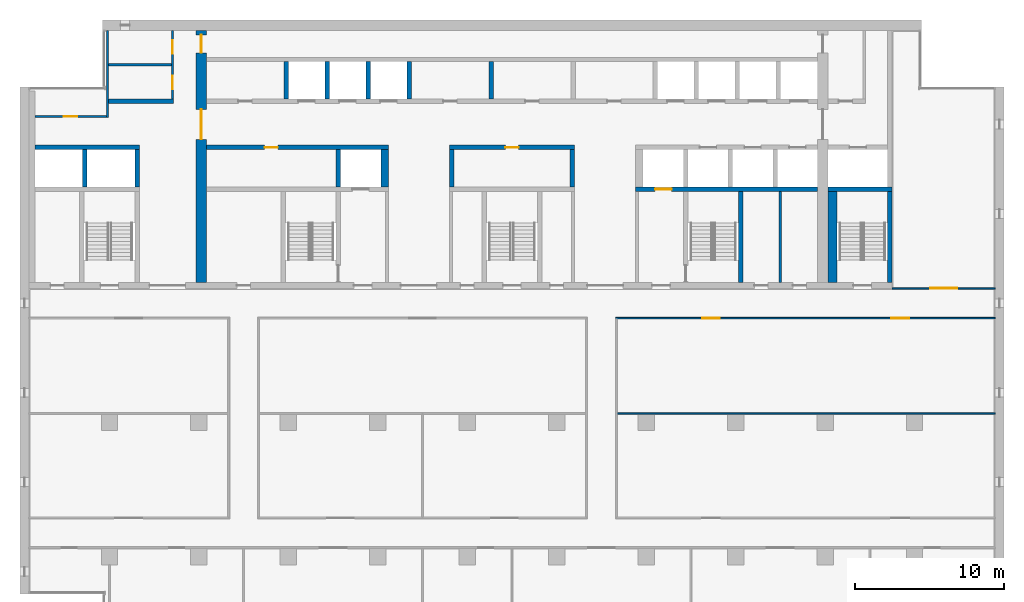
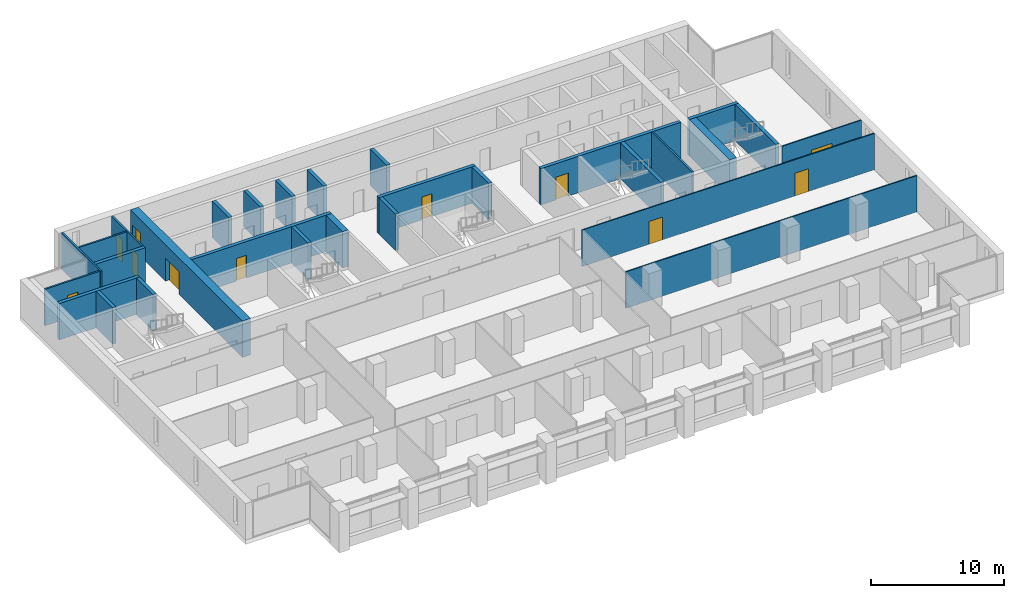
# One storey, part 10 of 17: 29 walls, 11 doors, 11 openings.
"""IFC4 building model written with IfcOpenShell, lengths in metres."""

from ifc_helpers import new_model, si_unit, direction, frame, frame_2d, origin, place, context, subcontext, project, spatial, rectangle, extrude, material, layer, layer_set, type_object, element, fill, save


model = new_model("IFC4")

# Units and contexts
model_context = context("Model", 3, precision=1e-05, world=origin(), true_north=direction((0.0, 1.0)))
body_context = subcontext(model_context, "Body", "Model", "MODEL_VIEW")
ifc_project = project(units=[si_unit("LENGTHUNIT", "METRE"), si_unit("AREAUNIT", "SQUARE_METRE"), si_unit("VOLUMEUNIT", "CUBIC_METRE"), si_unit("PLANEANGLEUNIT", "RADIAN"), si_unit("MASSUNIT", "GRAM", prefix="KILO")], contexts=[model_context])

# Site, building, storey
site_placement = place(None, origin())
site = spatial("IfcSite", under=ifc_project, at=site_placement, CompositionType="ELEMENT")
building_placement = place(site_placement, origin())
building = spatial("IfcBuilding", under=site, at=building_placement, Name="Calvaro Tower", CompositionType="ELEMENT")
storey_placement = place(building_placement, frame((0.0, 0.0, 193.0)))
storey = spatial("IfcBuildingStorey", under=building, at=storey_placement, Name="L48", CompositionType="ELEMENT", Elevation=193.0)

# Walls
ifc_material_1 = material(Name="Blockwork partition", Category="masonry")
ifc_layer_1 = layer(ifc_material_1, 0.14990234375)
ifc_layer_set_1 = layer_set([ifc_layer_1], Name="Blockwork partition")
wall_type_1 = type_object("IfcWallType", Name="Core partition 150 EI 60", PredefinedType="PARTITIONING", material=ifc_layer_set_1)
wall_1_placement = place(storey_placement, frame((57.0, 28.39990234375, 0.0), z_axis=(0.0, 0.0, 1.0), x_axis=(0.0, 1.0, 0.0)))
element("IfcWall", 1, at=wall_1_placement, inside=storey, type_object=wall_type_1, Name="Core partition", PredefinedType="PARTITIONING", context=body_context, shape_type="SweptSolid", body=[
    extrude(rectangle(XDim=6.10009765625, YDim=0.14990234375, at=frame_2d((3.050048828125, 0.0))), origin(), (0.0, 0.0, 1.0), 3.35009765625),
])
wall_2_placement = place(storey_placement, frame((11.949951171875, 43.0, 0.0), z_axis=(0.0, 0.0, 1.0), x_axis=(1.0, 0.0, 0.0)))
element("IfcWall", 2, at=wall_2_placement, inside=storey, type_object=wall_type_1, Name="Core partition", PredefinedType="PARTITIONING", context=body_context, shape_type="SweptSolid", body=[
    extrude(rectangle(XDim=4.199951171875, YDim=0.14990234375, at=frame_2d((2.10009765625, 0.0))), origin(), (0.0, 0.0, 1.0), 3.35009765625),
])

# Wall, openings, doors
ifc_material_2 = material(Name="Blockwork partition", Category="masonry")
ifc_layer_2 = layer(ifc_material_2, 0.14990234375)
ifc_layer_set_2 = layer_set([ifc_layer_2], Name="Blockwork partition")
wall_type_2 = type_object("IfcWallType", Name="Core partition 150 REI 120", PredefinedType="PARTITIONING", material=ifc_layer_set_2)
wall_3_placement = place(storey_placement, frame((16.22509765625, 45.300048828125, 0.0), z_axis=(0.0, 0.0, 1.0), x_axis=(0.0, -1.0, 0.0)))
wall_3 = element("IfcWall", 3, at=wall_3_placement, inside=storey, type_object=wall_type_2, Name="Core partition", PredefinedType="PARTITIONING", context=body_context, shape_type="SweptSolid", body=[
    extrude(rectangle(XDim=4.60009765625, YDim=0.14990234375, at=frame_2d((2.300048828125, 0.0))), origin(), (0.0, 0.0, 1.0), 3.35009765625),
])
opening_1_placement = place(wall_3_placement, frame((3.03759765625, 0.0, 0.0)))
opening_1 = element("IfcOpeningElement", 4, at=opening_1_placement, cuts=wall_3, Name="Opening RD9", PredefinedType="OPENING", context=body_context, shape_type="SweptSolid", body=[
    extrude(rectangle(XDim=0.89990234375, YDim=2.10009765625, at=frame_2d((0.449951171875, 1.050048828125))), frame((0.0, 0.0849609375, 0.0), z_axis=(0.0, -1.0, 0.0), x_axis=(1.0, 0.0, 0.0)), (0.0, 0.0, 1.0), 0.169921875),
])
opening_2_placement = place(wall_3_placement, frame((0.66259765625, 0.0, 0.0)))
opening_2 = element("IfcOpeningElement", 5, at=opening_2_placement, cuts=wall_3, Name="Opening RD9", PredefinedType="OPENING", context=body_context, shape_type="SweptSolid", body=[
    extrude(rectangle(XDim=0.89990234375, YDim=2.10009765625, at=frame_2d((0.449951171875, 1.050048828125))), frame((0.0, 0.0849609375, 0.0), z_axis=(0.0, -1.0, 0.0), x_axis=(1.0, 0.0, 0.0)), (0.0, 0.0, 1.0), 0.169921875),
])
ifc_material_3 = material(Name="Steel door set", Category="steel")
door_type_1 = type_object("IfcDoorType", Name="Room door 900", OperationType="SINGLE_SWING_LEFT", PredefinedType="DOOR", material=ifc_material_3)
door_1_placement = place(opening_1_placement, origin())
door_1 = element("IfcDoor", 6, at=door_1_placement, inside=storey, type_object=door_type_1, Name="Room door", OperationType="SINGLE_SWING_RIGHT", OverallHeight=2.10009765625, OverallWidth=0.89990234375, PredefinedType="DOOR", context=body_context, shape_type="SweptSolid", body=[
    extrude(rectangle(XDim=0.89990234375, YDim=2.10009765625, at=frame_2d((0.449951171875, 1.050048828125))), frame((0.0, 0.02490234375, 0.0), z_axis=(0.0, -1.0, 0.0), x_axis=(1.0, 0.0, 0.0)), (0.0, 0.0, 1.0), 0.050048828125),
])
fill(opening_1, door_1)
door_2_placement = place(opening_2_placement, origin())
door_2 = element("IfcDoor", 7, at=door_2_placement, inside=storey, type_object=door_type_1, Name="Room door", OperationType="SINGLE_SWING_RIGHT", OverallHeight=2.10009765625, OverallWidth=0.89990234375, PredefinedType="DOOR", context=body_context, shape_type="SweptSolid", body=[
    extrude(rectangle(XDim=0.89990234375, YDim=2.10009765625, at=frame_2d((0.449951171875, 1.050048828125))), frame((0.0, 0.02490234375, 0.0), z_axis=(0.0, -1.0, 0.0), x_axis=(1.0, 0.0, 0.0)), (0.0, 0.0, 1.0), 0.050048828125),
])
fill(opening_2, door_2)

# Wall
wall_4_placement = place(storey_placement, frame((11.875, 39.449951171875, 0.0), z_axis=(0.0, 0.0, 1.0), x_axis=(0.0, 1.0, 0.0)))
element("IfcWall", 8, at=wall_4_placement, inside=storey, type_object=wall_type_2, Name="Core partition", PredefinedType="PARTITIONING", context=body_context, shape_type="SweptSolid", body=[
    extrude(rectangle(XDim=5.85009765625, YDim=0.14990234375, at=frame_2d((2.925048828125, 0.0))), origin(), (0.0, 0.0, 1.0), 3.35009765625),
])

# Wall, opening, door
wall_5_placement = place(storey_placement, frame((7.0, 39.52490234375, 0.0), z_axis=(0.0, 0.0, 1.0), x_axis=(1.0, 0.0, 0.0)))
wall_5 = element("IfcWall", 9, at=wall_5_placement, inside=storey, type_object=wall_type_2, Name="Core partition", PredefinedType="PARTITIONING", context=body_context, shape_type="SweptSolid", body=[
    extrude(rectangle(XDim=4.800048828125, YDim=0.14990234375, at=frame_2d((2.39990234375, 0.0))), origin(), (0.0, 0.0, 1.0), 3.35009765625),
])
opening_3_placement = place(wall_5_placement, frame((1.949951171875, 0.0, 0.0)))
opening_3 = element("IfcOpeningElement", 10, at=opening_3_placement, cuts=wall_5, Name="Opening RD9", PredefinedType="OPENING", context=body_context, shape_type="SweptSolid", body=[
    extrude(rectangle(XDim=0.89990234375, YDim=2.10009765625, at=frame_2d((0.449951171875, 1.050048828125))), frame((0.0, 0.0849609375, 0.0), z_axis=(0.0, -1.0, 0.0), x_axis=(1.0, 0.0, 0.0)), (0.0, 0.0, 1.0), 0.169921875),
])
door_3_placement = place(opening_3_placement, origin())
door_3 = element("IfcDoor", 11, at=door_3_placement, inside=storey, type_object=door_type_1, Name="Room door", OperationType="SINGLE_SWING_LEFT", OverallHeight=2.10009765625, OverallWidth=0.89990234375, PredefinedType="DOOR", context=body_context, shape_type="SweptSolid", body=[
    extrude(rectangle(XDim=0.89990234375, YDim=2.10009765625, at=frame_2d((0.449951171875, 1.050048828125))), frame((0.0, 0.02490234375, 0.0), z_axis=(0.0, -1.0, 0.0), x_axis=(1.0, 0.0, 0.0)), (0.0, 0.0, 1.0), 0.050048828125),
])
fill(opening_3, door_3)

# Walls
ifc_material_4 = material(Name="Blockwork partition", Category="masonry")
ifc_layer_3 = layer(ifc_material_4, 0.300048828125)
ifc_layer_set_3 = layer_set([ifc_layer_3], Name="Blockwork partition")
wall_type_3 = type_object("IfcWallType", Name="Core partition 300 EI 60", PredefinedType="PARTITIONING", material=ifc_layer_set_3)
wall_6_placement = place(storey_placement, frame((37.60009765625, 40.699951171875, 0.0), z_axis=(0.0, 0.0, 1.0), x_axis=(0.0, 1.0, 0.0)))
element("IfcWall", 12, at=wall_6_placement, inside=storey, type_object=wall_type_3, Name="Core partition", PredefinedType="PARTITIONING", context=body_context, shape_type="SweptSolid", body=[
    extrude(rectangle(XDim=2.5, YDim=0.300048828125, at=frame_2d((1.25, 0.0))), origin(), (0.0, 0.0, 1.0), 3.35009765625),
])
ifc_material_5 = material(Name="Blockwork partition", Category="masonry")
ifc_layer_4 = layer(ifc_material_5, 0.300048828125)
ifc_layer_set_4 = layer_set([ifc_layer_4], Name="Blockwork partition")
wall_type_4 = type_object("IfcWallType", Name="Core partition 300 REI 120", PredefinedType="PARTITIONING", material=ifc_layer_set_4)
wall_7_placement = place(storey_placement, frame((11.949951171875, 40.550048828125, 0.0), z_axis=(0.0, 0.0, 1.0), x_axis=(1.0, 0.0, 0.0)))
element("IfcWall", 13, at=wall_7_placement, inside=storey, type_object=wall_type_4, Name="Core partition", PredefinedType="PARTITIONING", context=body_context, shape_type="SweptSolid", body=[
    extrude(rectangle(XDim=4.35009765625, YDim=0.300048828125, at=frame_2d((2.175048828125, 0.0))), origin(), (0.0, 0.0, 1.0), 3.35009765625),
])
ifc_material_6 = material(Name="Concrete C50/60", Category="concrete")
ifc_layer_5 = layer(ifc_material_6, 0.300048828125)
ifc_layer_set_5 = layer_set([ifc_layer_5], Name="Concrete C50/60")
wall_type_5 = type_object("IfcWallType", Name="Core wall C50/60 300", PredefinedType="SHEAR", material=ifc_layer_set_5)
for number, where, z_axis, x_axis, name in (
    (14, (54.35009765625, 28.39990234375, 0.0), (0.0, 0.0, 1.0), (0.0, 1.0, 0.0), "Core wall, stair enclosure"),
    (15, (64.35009765625, 28.39990234375, 0.0), (0.0, 0.0, 1.0), (0.0, 1.0, 0.0), "Core wall, stair enclosure"),
):
    element("IfcWall", number, at=place(storey_placement, frame(where, z_axis=z_axis, x_axis=x_axis)), inside=storey, type_object=wall_type_5, Name=name, PredefinedType="SHEAR", context=body_context, shape_type="SweptSolid", body=[
        extrude(rectangle(XDim=6.10009765625, YDim=0.300048828125, at=frame_2d((3.050048828125, 0.0))), origin(), (0.0, 0.0, 1.0), 3.35009765625),
    ])

# Wall, opening, door
wall_8_placement = place(storey_placement, frame((47.300048828125, 34.64990234375, 0.0), z_axis=(0.0, 0.0, 1.0), x_axis=(1.0, 0.0, 0.0)))
wall_8 = element("IfcWall", 16, at=wall_8_placement, inside=storey, type_object=wall_type_5, Name="Core wall, lift shaft", PredefinedType="SHEAR", context=body_context, shape_type="SweptSolid", body=[
    extrude(rectangle(XDim=12.199951171875, YDim=0.300048828125, at=frame_2d((6.10009765625, 0.0))), origin(), (0.0, 0.0, 1.0), 3.35009765625),
])
opening_4_placement = place(wall_8_placement, frame((1.300048828125, 0.0, 0.0)))
opening_4 = element("IfcOpeningElement", 17, at=opening_4_placement, cuts=wall_8, Name="Opening FF2", PredefinedType="OPENING", context=body_context, shape_type="SweptSolid", body=[
    extrude(rectangle(XDim=1.10009765625, YDim=2.10009765625, at=frame_2d((0.550048828125, 1.050048828125))), frame((0.0, 0.159912109375, 0.0), z_axis=(0.0, -1.0, 0.0), x_axis=(1.0, 0.0, 0.0)), (0.0, 0.0, 1.0), 0.320068359375),
])
ifc_material_7 = material(Name="Stainless steel", Category="steel")
door_type_2 = type_object("IfcDoorType", Name="Landing door 1100 E 60", OperationType="SLIDING_TO_LEFT", PredefinedType="DOOR", material=ifc_material_7)
door_4_placement = place(opening_4_placement, origin())
door_4 = element("IfcDoor", 18, at=door_4_placement, inside=storey, type_object=door_type_2, Name="Landing door FF2", OperationType="SLIDING_TO_LEFT", OverallHeight=2.10009765625, OverallWidth=1.10009765625, PredefinedType="DOOR", context=body_context, shape_type="SweptSolid", body=[
    extrude(rectangle(XDim=1.10009765625, YDim=2.10009765625, at=frame_2d((0.550048828125, 1.050048828125))), frame((0.0, 0.02490234375, 0.0), z_axis=(0.0, -1.0, 0.0), x_axis=(1.0, 0.0, 0.0)), (0.0, 0.0, 1.0), 0.050048828125),
])
fill(opening_4, door_4)

# Walls
wall_9_placement = place(storey_placement, frame((60.199951171875, 34.64990234375, 0.0), z_axis=(0.0, 0.0, 1.0), x_axis=(1.0, 0.0, 0.0)))
element("IfcWall", 19, at=wall_9_placement, inside=storey, type_object=wall_type_5, Name="Core wall, lift shaft", PredefinedType="SHEAR", context=body_context, shape_type="SweptSolid", body=[
    extrude(rectangle(XDim=4.300048828125, YDim=0.300048828125, at=frame_2d((2.14990234375, 0.0))), origin(), (0.0, 0.0, 1.0), 3.35009765625),
])
wall_10_placement = place(storey_placement, frame((7.0, 37.449951171875, 0.0), z_axis=(0.0, 0.0, 1.0), x_axis=(1.0, 0.0, 0.0)))
element("IfcWall", 20, at=wall_10_placement, inside=storey, type_object=wall_type_5, Name="Core wall, lift shaft", PredefinedType="SHEAR", context=body_context, shape_type="SweptSolid", body=[
    extrude(rectangle(XDim=7.0, YDim=0.300048828125, at=frame_2d((3.5, 0.0))), origin(), (0.0, 0.0, 1.0), 3.35009765625),
])

# Wall, opening, door
wall_11_placement = place(storey_placement, frame((30.699951171875, 37.449951171875, 0.0), z_axis=(0.0, 0.0, 1.0), x_axis=(-1.0, 0.0, 0.0)))
wall_11 = element("IfcWall", 21, at=wall_11_placement, inside=storey, type_object=wall_type_5, Name="Core wall, bay", PredefinedType="SHEAR", context=body_context, shape_type="SweptSolid", body=[
    extrude(rectangle(XDim=12.199951171875, YDim=0.300048828125, at=frame_2d((6.10009765625, 0.0))), origin(), (0.0, 0.0, 1.0), 3.35009765625),
])
opening_5_placement = place(wall_11_placement, frame((7.39990234375, 0.0, 0.0)))
opening_5 = element("IfcOpeningElement", 22, at=opening_5_placement, cuts=wall_11, Name="Opening RD9E", PredefinedType="OPENING", context=body_context, shape_type="SweptSolid", body=[
    extrude(rectangle(XDim=0.89990234375, YDim=2.10009765625, at=frame_2d((0.449951171875, 1.050048828125))), frame((0.0, 0.159912109375, 0.0), z_axis=(0.0, -1.0, 0.0), x_axis=(1.0, 0.0, 0.0)), (0.0, 0.0, 1.0), 0.320068359375),
])
ifc_material_8 = material(Name="Steel door set", Category="steel")
door_type_3 = type_object("IfcDoorType", Name="Room door 900 FD60", OperationType="SINGLE_SWING_LEFT", PredefinedType="DOOR", material=ifc_material_8)
door_5_placement = place(opening_5_placement, origin())
door_5 = element("IfcDoor", 23, at=door_5_placement, inside=storey, type_object=door_type_3, Name="Room door", OperationType="SINGLE_SWING_LEFT", OverallHeight=2.10009765625, OverallWidth=0.89990234375, PredefinedType="DOOR", context=body_context, shape_type="SweptSolid", body=[
    extrude(rectangle(XDim=0.89990234375, YDim=2.10009765625, at=frame_2d((0.449951171875, 1.050048828125))), frame((0.0, 0.02490234375, 0.0), z_axis=(0.0, -1.0, 0.0), x_axis=(1.0, 0.0, 0.0)), (0.0, 0.0, 1.0), 0.050048828125),
])
fill(opening_5, door_5)

wall_12_placement = place(storey_placement, frame((43.199951171875, 37.449951171875, 0.0), z_axis=(0.0, 0.0, 1.0), x_axis=(-1.0, 0.0, 0.0)))
wall_12 = element("IfcWall", 24, at=wall_12_placement, inside=storey, type_object=wall_type_5, Name="Core wall, bay", PredefinedType="SHEAR", context=body_context, shape_type="SweptSolid", body=[
    extrude(rectangle(XDim=8.39990234375, YDim=0.300048828125, at=frame_2d((4.199951171875, 0.0))), origin(), (0.0, 0.0, 1.0), 3.35009765625),
])
opening_6_placement = place(wall_12_placement, frame((3.75, 0.0, 0.0)))
opening_6 = element("IfcOpeningElement", 25, at=opening_6_placement, cuts=wall_12, Name="Opening RD9E", PredefinedType="OPENING", context=body_context, shape_type="SweptSolid", body=[
    extrude(rectangle(XDim=0.89990234375, YDim=2.10009765625, at=frame_2d((0.449951171875, 1.050048828125))), frame((0.0, 0.159912109375, 0.0), z_axis=(0.0, -1.0, 0.0), x_axis=(1.0, 0.0, 0.0)), (0.0, 0.0, 1.0), 0.320068359375),
])
door_6_placement = place(opening_6_placement, origin())
door_6 = element("IfcDoor", 26, at=door_6_placement, inside=storey, type_object=door_type_3, Name="Room door", OperationType="SINGLE_SWING_RIGHT", OverallHeight=2.10009765625, OverallWidth=0.89990234375, PredefinedType="DOOR", context=body_context, shape_type="SweptSolid", body=[
    extrude(rectangle(XDim=0.89990234375, YDim=2.10009765625, at=frame_2d((0.449951171875, 1.050048828125))), frame((0.0, 0.02490234375, 0.0), z_axis=(0.0, -1.0, 0.0), x_axis=(1.0, 0.0, 0.0)), (0.0, 0.0, 1.0), 0.050048828125),
])
fill(opening_6, door_6)

# Walls
for number, where, z_axis, x_axis, name in (
    (27, (27.35009765625, 34.800048828125, 0.0), (0.0, 0.0, 1.0), (0.0, 1.0, 0.0), "Core wall, lift shaft"),
    (28, (34.949951171875, 34.800048828125, 0.0), (0.0, 0.0, 1.0), (0.0, 1.0, 0.0), "Core wall, lift shaft"),
    (29, (43.050048828125, 34.800048828125, 0.0), (0.0, 0.0, 1.0), (0.0, 1.0, 0.0), "Core wall, lift shaft"),
    (30, (13.85009765625, 34.800048828125, 0.0), (0.0, 0.0, 1.0), (0.0, 1.0, 0.0), "Core wall, lift shaft"),
    (31, (23.85009765625, 40.699951171875, 0.0), (0.0, 0.0, 1.0), (0.0, 1.0, 0.0), "Core wall, lift shaft"),
    (32, (26.60009765625, 40.699951171875, 0.0), (0.0, 0.0, 1.0), (0.0, 1.0, 0.0), "Core wall, lift shaft"),
    (33, (29.35009765625, 40.699951171875, 0.0), (0.0, 0.0, 1.0), (0.0, 1.0, 0.0), "Core wall, lift shaft"),
    (34, (32.10009765625, 40.699951171875, 0.0), (0.0, 0.0, 1.0), (0.0, 1.0, 0.0), "Core wall, lift shaft"),
    (35, (10.35009765625, 34.800048828125, 0.0), (0.0, 0.0, 1.0), (0.0, 1.0, 0.0), "Core wall, lift shaft"),
):
    element("IfcWall", number, at=place(storey_placement, frame(where, z_axis=z_axis, x_axis=x_axis)), inside=storey, type_object=wall_type_5, Name=name, PredefinedType="SHEAR", context=body_context, shape_type="SweptSolid", body=[
        extrude(rectangle(XDim=2.5, YDim=0.300048828125, at=frame_2d((1.25, 0.0))), origin(), (0.0, 0.0, 1.0), 3.35009765625),
    ])
ifc_material_9 = material(Name="Concrete C50/60", Category="concrete")
ifc_layer_6 = layer(ifc_material_9, 0.5)
ifc_layer_set_6 = layer_set([ifc_layer_6], Name="Concrete C50/60")
wall_type_6 = type_object("IfcWallType", Name="Core wall C50/60 500", PredefinedType="SHEAR", material=ifc_layer_set_6)
wall_13_placement = place(storey_placement, frame((30.449951171875, 34.800048828125, 0.0), z_axis=(0.0, 0.0, 1.0), x_axis=(0.0, 1.0, 0.0)))
element("IfcWall", 36, at=wall_13_placement, inside=storey, type_object=wall_type_6, Name="Core wall, lift shaft", PredefinedType="SHEAR", context=body_context, shape_type="SweptSolid", body=[
    extrude(rectangle(XDim=2.5, YDim=0.5, at=frame_2d((1.25, 0.0))), origin(), (0.0, 0.0, 1.0), 3.35009765625),
])
ifc_material_10 = material(Name="Concrete C50/60", Category="concrete")
ifc_layer_7 = layer(ifc_material_10, 0.60009765625)
ifc_layer_set_7 = layer_set([ifc_layer_7], Name="Concrete C50/60")
wall_type_7 = type_object("IfcWallType", Name="Core wall C50/60 600", PredefinedType="SHEAR", material=ifc_layer_set_7)
wall_14_placement = place(storey_placement, frame((60.5, 28.39990234375, 0.0), z_axis=(0.0, 0.0, 1.0), x_axis=(0.0, 1.0, 0.0)))
element("IfcWall", 37, at=wall_14_placement, inside=storey, type_object=wall_type_7, Name="Core wall, stair enclosure", PredefinedType="SHEAR", context=body_context, shape_type="SweptSolid", body=[
    extrude(rectangle(XDim=6.10009765625, YDim=0.60009765625, at=frame_2d((3.050048828125, 0.0))), origin(), (0.0, 0.0, 1.0), 3.35009765625),
])

# Wall, openings, doors
ifc_material_11 = material(Name="Concrete C50/60", Category="concrete")
ifc_layer_8 = layer(ifc_material_11, 0.699951171875)
ifc_layer_set_8 = layer_set([ifc_layer_8], Name="Concrete C50/60")
wall_type_8 = type_object("IfcWallType", Name="Core wall C50/60 700", PredefinedType="SHEAR", material=ifc_layer_set_8)
wall_15_placement = place(storey_placement, frame((18.14990234375, 28.39990234375, 0.0), z_axis=(0.0, 0.0, 1.0), x_axis=(0.0, 1.0, 0.0)))
wall_15 = element("IfcWall", 38, at=wall_15_placement, inside=storey, type_object=wall_type_8, Name="Core wall, cross shear wall", PredefinedType="SHEAR", context=body_context, shape_type="SweptSolid", body=[
    extrude(rectangle(XDim=16.900146484375, YDim=0.699951171875, at=frame_2d((8.4501953125, 0.0))), origin(), (0.0, 0.0, 1.0), 3.35009765625),
])
opening_7_placement = place(wall_15_placement, frame((9.60009765625, 0.0, 0.0)))
opening_7 = element("IfcOpeningElement", 39, at=opening_7_placement, cuts=wall_15, Name="Opening DD20D", PredefinedType="OPENING", context=body_context, shape_type="SweptSolid", body=[
    extrude(rectangle(XDim=2.0, YDim=2.10009765625, at=frame_2d((1.0, 1.050048828125))), frame((0.0, 0.35986328125, 0.0), z_axis=(0.0, -1.0, 0.0), x_axis=(1.0, 0.0, 0.0)), (0.0, 0.0, 1.0), 0.719970703125),
])
opening_8_placement = place(wall_15_placement, frame((15.39990234375, 0.0, 0.0)))
opening_8 = element("IfcOpeningElement", 40, at=opening_8_placement, cuts=wall_15, Name="Opening FD12C", PredefinedType="OPENING", context=body_context, shape_type="SweptSolid", body=[
    extrude(rectangle(XDim=1.199951171875, YDim=2.10009765625, at=frame_2d((0.60009765625, 1.050048828125))), frame((0.0, 0.35986328125, 0.0), z_axis=(0.0, -1.0, 0.0), x_axis=(1.0, 0.0, 0.0)), (0.0, 0.0, 1.0), 0.719970703125),
])
ifc_material_12 = material(Name="Steel door set", Category="steel")
door_type_4 = type_object("IfcDoorType", Name="Fire door 1200 FD30", OperationType="SINGLE_SWING_LEFT", PredefinedType="DOOR", material=ifc_material_12)
door_7_placement = place(opening_8_placement, origin())
door_7 = element("IfcDoor", 41, at=door_7_placement, inside=storey, type_object=door_type_4, Name="Fire door", OperationType="SINGLE_SWING_LEFT", OverallHeight=2.10009765625, OverallWidth=1.199951171875, PredefinedType="DOOR", context=body_context, shape_type="SweptSolid", body=[
    extrude(rectangle(XDim=1.199951171875, YDim=2.10009765625, at=frame_2d((0.60009765625, 1.050048828125))), frame((0.0, 0.02490234375, 0.0), z_axis=(0.0, -1.0, 0.0), x_axis=(1.0, 0.0, 0.0)), (0.0, 0.0, 1.0), 0.050048828125),
])
fill(opening_8, door_7)
ifc_material_13 = material(Name="Steel door set", Category="steel")
door_type_5 = type_object("IfcDoorType", Name="Lobby double door 2000 FD30S", OperationType="DOUBLE_DOOR_SINGLE_SWING", PredefinedType="DOOR", material=ifc_material_13)
door_8_placement = place(opening_7_placement, origin())
door_8 = element("IfcDoor", 42, at=door_8_placement, inside=storey, type_object=door_type_5, Name="Lobby double door", OperationType="DOUBLE_DOOR_SINGLE_SWING", OverallHeight=2.10009765625, OverallWidth=2.0, PredefinedType="DOOR", context=body_context, shape_type="SweptSolid", body=[
    extrude(rectangle(XDim=2.0, YDim=2.10009765625, at=frame_2d((1.0, 1.050048828125))), frame((0.0, 0.02490234375, 0.0), z_axis=(0.0, -1.0, 0.0), x_axis=(1.0, 0.0, 0.0)), (0.0, 0.0, 1.0), 0.050048828125),
])
fill(opening_7, door_8)

# Wall
ifc_material_14 = material(Name="Plasterboard on steel studs", Category="steel")
ifc_layer_9 = layer(ifc_material_14, 0.10009765625)
ifc_layer_set_9 = layer_set([ifc_layer_9], Name="Plasterboard on steel studs")
wall_type_9 = type_object("IfcWallType", Name="Partition 100", PredefinedType="PARTITIONING", material=ifc_layer_set_9)
wall_16_placement = place(storey_placement, frame((46.050048828125, 19.60009765625, 0.0), z_axis=(0.0, 0.0, 1.0), x_axis=(1.0, 0.0, 0.0)))
element("IfcWall", 43, at=wall_16_placement, inside=storey, type_object=wall_type_9, Name="Partition T28.W007", PredefinedType="PARTITIONING", context=body_context, shape_type="SweptSolid", body=[
    extrude(rectangle(XDim=25.349853515625, YDim=0.10009765625, at=frame_2d((12.6748046875, 0.0))), origin(), (0.0, 0.0, 1.0), 3.35009765625),
])

# Wall, openings, doors
wall_17_placement = place(storey_placement, frame((45.949951171875, 26.0, 0.0), z_axis=(0.0, 0.0, 1.0), x_axis=(1.0, 0.0, 0.0)))
wall_17 = element("IfcWall", 44, at=wall_17_placement, inside=storey, type_object=wall_type_9, Name="Partition T28.W010", PredefinedType="PARTITIONING", context=body_context, shape_type="SweptSolid", body=[
    extrude(rectangle(XDim=25.449951171875, YDim=0.10009765625, at=frame_2d((12.72509765625, 0.0))), origin(), (0.0, 0.0, 1.0), 3.35009765625),
])
opening_9_placement = place(wall_17_placement, frame((5.800048828125, 0.0, 0.0)))
opening_9 = element("IfcOpeningElement", 45, at=opening_9_placement, cuts=wall_17, Name="Opening T28.015", PredefinedType="OPENING", context=body_context, shape_type="SweptSolid", body=[
    extrude(rectangle(XDim=1.199951171875, YDim=2.10009765625, at=frame_2d((0.60009765625, 1.050048828125))), frame((0.0, 0.06005859375, 0.0), z_axis=(0.0, -1.0, 0.0), x_axis=(1.0, 0.0, 0.0)), (0.0, 0.0, 1.0), 0.1201171875),
])
opening_10_placement = place(wall_17_placement, frame((18.5, 0.0, 0.0)))
opening_10 = element("IfcOpeningElement", 46, at=opening_10_placement, cuts=wall_17, Name="Opening T28.016", PredefinedType="OPENING", context=body_context, shape_type="SweptSolid", body=[
    extrude(rectangle(XDim=1.199951171875, YDim=2.10009765625, at=frame_2d((0.60009765625, 1.050048828125))), frame((0.0, 0.06005859375, 0.0), z_axis=(0.0, -1.0, 0.0), x_axis=(1.0, 0.0, 0.0)), (0.0, 0.0, 1.0), 0.1201171875),
])
ifc_material_15 = material(Name="Timber", Category="wood")
door_type_6 = type_object("IfcDoorType", Name="Internal single door 1200 x 2100", OperationType="SINGLE_SWING_LEFT", PredefinedType="DOOR", material=ifc_material_15)
door_9_placement = place(opening_9_placement, origin())
door_9 = element("IfcDoor", 47, at=door_9_placement, inside=storey, type_object=door_type_6, Name="Door T28.015", OperationType="SINGLE_SWING_LEFT", OverallHeight=2.10009765625, OverallWidth=1.199951171875, PredefinedType="DOOR", context=body_context, shape_type="SweptSolid", body=[
    extrude(rectangle(XDim=1.199951171875, YDim=2.10009765625, at=frame_2d((0.60009765625, 1.050048828125))), frame((0.0, 0.02490234375, 0.0), z_axis=(0.0, -1.0, 0.0), x_axis=(1.0, 0.0, 0.0)), (0.0, 0.0, 1.0), 0.050048828125),
])
fill(opening_9, door_9)
door_10_placement = place(opening_10_placement, origin())
door_10 = element("IfcDoor", 48, at=door_10_placement, inside=storey, type_object=door_type_6, Name="Door T28.016", OperationType="SINGLE_SWING_RIGHT", OverallHeight=2.10009765625, OverallWidth=1.199951171875, PredefinedType="DOOR", context=body_context, shape_type="SweptSolid", body=[
    extrude(rectangle(XDim=1.199951171875, YDim=2.10009765625, at=frame_2d((0.60009765625, 1.050048828125))), frame((0.0, 0.02490234375, 0.0), z_axis=(0.0, -1.0, 0.0), x_axis=(1.0, 0.0, 0.0)), (0.0, 0.0, 1.0), 0.050048828125),
])
fill(opening_10, door_10)

# Wall, opening, door
wall_18_placement = place(storey_placement, frame((64.5, 28.0, 0.0), z_axis=(0.0, 0.0, 1.0), x_axis=(1.0, 0.0, 0.0)))
wall_18 = element("IfcWall", 49, at=wall_18_placement, inside=storey, type_object=wall_type_9, Name="Partition T28.W011", PredefinedType="PARTITIONING", context=body_context, shape_type="SweptSolid", body=[
    extrude(rectangle(XDim=6.89990234375, YDim=0.10009765625, at=frame_2d((3.449951171875, 0.0))), origin(), (0.0, 0.0, 1.0), 3.35009765625),
])
opening_11_placement = place(wall_18_placement, frame((2.550048828125, 0.0, 0.0)))
opening_11 = element("IfcOpeningElement", 50, at=opening_11_placement, cuts=wall_18, Name="Opening T28.017", PredefinedType="OPENING", context=body_context, shape_type="SweptSolid", body=[
    extrude(rectangle(XDim=1.800048828125, YDim=2.10009765625, at=frame_2d((0.89990234375, 1.050048828125))), frame((0.0, 0.06005859375, 0.0), z_axis=(0.0, -1.0, 0.0), x_axis=(1.0, 0.0, 0.0)), (0.0, 0.0, 1.0), 0.1201171875),
])
ifc_material_16 = material(Name="Timber", Category="wood")
door_type_7 = type_object("IfcDoorType", Name="Internal double door 1800 x 2100", OperationType="DOUBLE_DOOR_SINGLE_SWING", PredefinedType="DOOR", material=ifc_material_16)
door_11_placement = place(opening_11_placement, origin())
door_11 = element("IfcDoor", 51, at=door_11_placement, inside=storey, type_object=door_type_7, Name="Door T28.017", OperationType="DOUBLE_DOOR_SINGLE_SWING", OverallHeight=2.10009765625, OverallWidth=1.800048828125, PredefinedType="DOOR", context=body_context, shape_type="SweptSolid", body=[
    extrude(rectangle(XDim=1.800048828125, YDim=2.10009765625, at=frame_2d((0.89990234375, 1.050048828125))), frame((0.0, 0.02490234375, 0.0), z_axis=(0.0, -1.0, 0.0), x_axis=(1.0, 0.0, 0.0)), (0.0, 0.0, 1.0), 0.050048828125),
])
fill(opening_11, door_11)

save(model, "model.ifc")
